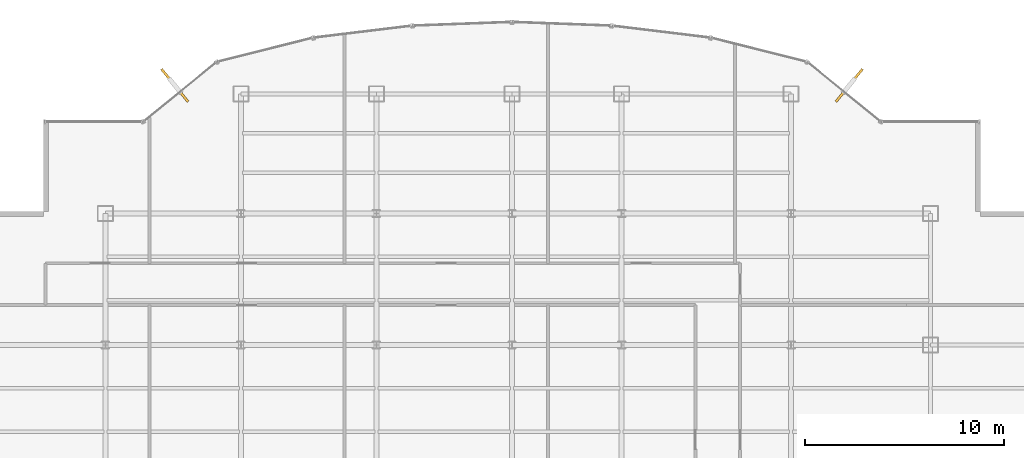
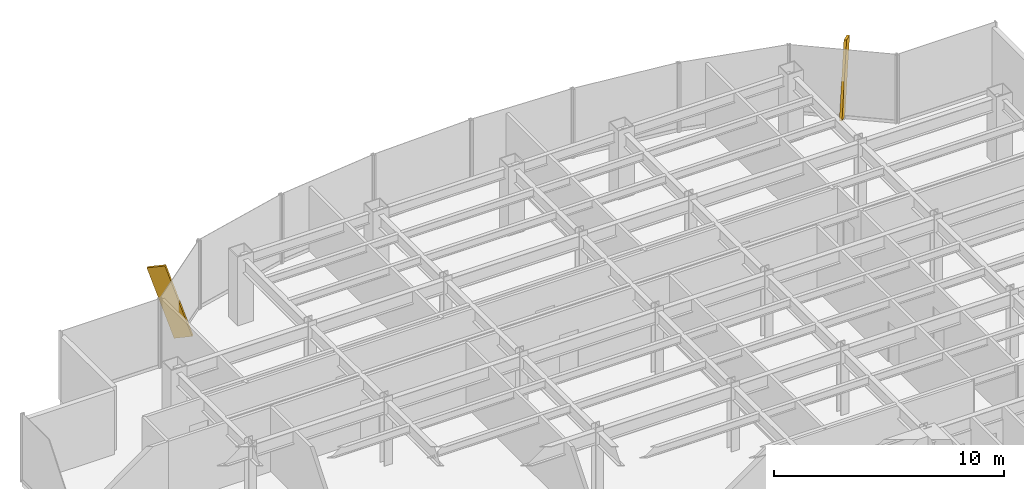
# One storey, part 25 of 26: 2 shading devices.
"""IFC4 building model written with IfcOpenShell, lengths in metres."""

from ifc_helpers import new_model, si_unit, derived_unit, direction, frame, origin, origin_2d, place, context, subcontext, project, spatial, rectangle, extrude, source, transform, mapped, material, type_object, element, save


model = new_model("IFC4")

# Units and contexts
model_context = context("Model", 3, precision=1e-05, world=origin(), true_north=direction((0.0, 1.0)))
body_context = subcontext(model_context, "Body", "Model", "MODEL_VIEW")
ifc_project = project(units=[si_unit("LENGTHUNIT", "METRE"), si_unit("AREAUNIT", "SQUARE_METRE"), si_unit("VOLUMEUNIT", "CUBIC_METRE"), si_unit("PLANEANGLEUNIT", "RADIAN"), si_unit("MASSUNIT", "GRAM", prefix="KILO"), derived_unit("THERMALTRANSMITTANCEUNIT", [(si_unit("POWERUNIT", "WATT"), 1), (si_unit("LENGTHUNIT", "METRE"), -2), (si_unit("THERMODYNAMICTEMPERATUREUNIT", "KELVIN"), -1)])], contexts=[model_context])

# Site, building, storey
site_placement = place(None, origin())
site = spatial("IfcSite", under=ifc_project, at=site_placement, CompositionType="ELEMENT")
building_placement = place(site_placement, origin())
building = spatial("IfcBuilding", under=site, at=building_placement, Name="Skarnbrae Concourse Arena and Tower", CompositionType="ELEMENT")
storey_placement = place(building_placement, frame((0.0, 0.0, 103.25)))
storey = spatial("IfcBuildingStorey", under=building, at=storey_placement, Name="L25", CompositionType="ELEMENT", Elevation=103.25)

# Shading devices
ifc_material = material(Name="Bronze anodised aluminium 6063-T6", Category="aluminium")
shading_device_type = type_object("IfcShadingDeviceType", Name="SHD-BRONZE-FIN-900", PredefinedType="USERDEFINED", material=ifc_material)
shared_shape = source(origin(), body_context, "Body", "SweptSolid", [
    extrude(rectangle(XDim=0.1201171875, YDim=0.89990234375, at=origin_2d()), origin(), (0.0, 0.0, 1.0), 3.64990234375),
])
for number, where, z_axis, x_axis, name in (
    (1, (44.520751953125, 40.331787109375, 0.11376953125), (0.219028888683, 0.269688051153, 0.937707150974), (0.776244501415, -0.630431974144, 0.0), "L25 Outward-leaning bronze shading fin 08"),
    (2, (11.479248046875, 40.331787109375, 0.11376953125), (-0.219028888683, 0.269688051153, 0.937707150974), (0.776244501415, 0.630431974144, 0.0), "L25 Outward-leaning bronze shading fin 15"),
):
    element("IfcShadingDevice", number, at=place(storey_placement, frame(where, z_axis=z_axis, x_axis=x_axis)), inside=storey, type_object=shading_device_type, Name=name, ObjectType="FIN", PredefinedType="USERDEFINED", context=body_context, shape_type="MappedRepresentation", body=[
        mapped(shared_shape, transform((0.0, 0.0, 0.0))),
    ])

save(model, "model.ifc")
